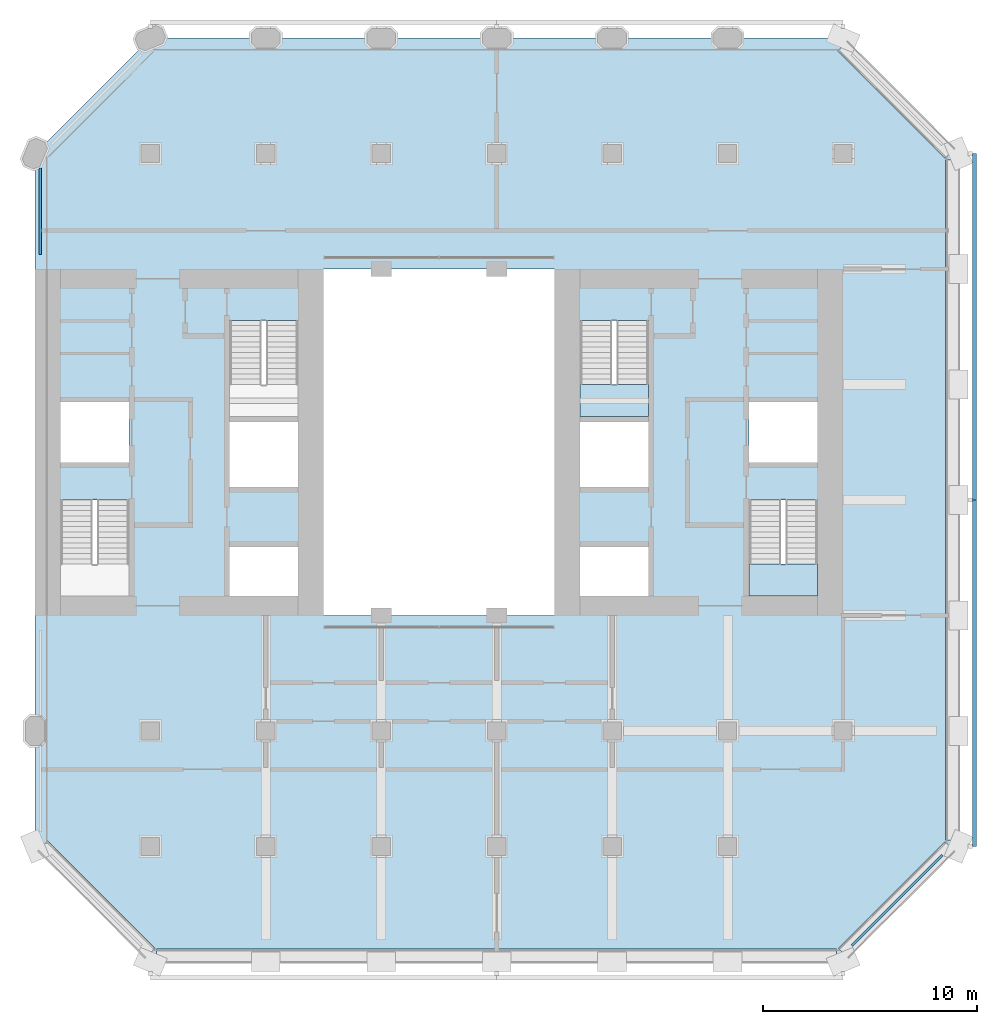
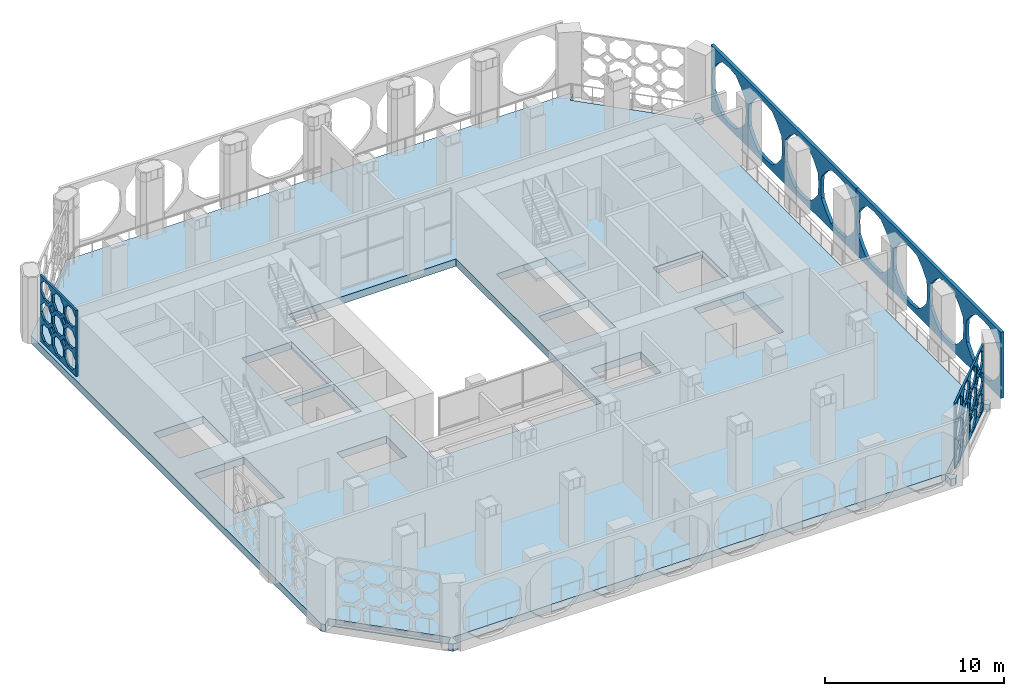
# One storey, part 6 of 14: 4 plates, 3 slabs, 2 elements without a shape of their own.
"""IFC4 building model written with IfcOpenShell, lengths in metres."""

from ifc_helpers import new_model, si_unit, direction, frame, origin, place, context, subcontext, project, spatial, polyline, outline, extrude, material, layer, layer_set, type_object, element, aggregate, save


model = new_model("IFC4")

# Units and contexts
model_context = context("Model", 3, precision=1e-05, world=origin(), true_north=direction((0.0, 1.0)))
body_context = subcontext(model_context, "Body", "Model", "MODEL_VIEW")
ifc_project = project(units=[si_unit("LENGTHUNIT", "METRE"), si_unit("AREAUNIT", "SQUARE_METRE"), si_unit("VOLUMEUNIT", "CUBIC_METRE"), si_unit("PLANEANGLEUNIT", "RADIAN"), si_unit("MASSUNIT", "GRAM", prefix="KILO")], contexts=[model_context])

# Site, building, storey
site_placement = place(None, origin())
site = spatial("IfcSite", under=ifc_project, at=site_placement, CompositionType="ELEMENT")
building_placement = place(site_placement, origin())
building = spatial("IfcBuilding", under=site, at=building_placement, Name="Tabaq Tower and Sports Hall", CompositionType="ELEMENT")
storey_placement = place(building_placement, frame((0.0, 0.0, 175.89990234375)))
storey = spatial("IfcBuildingStorey", under=building, at=storey_placement, Name="L42", CompositionType="ELEMENT", Elevation=175.89990234375)

# Stair, slab
ifc_material_1 = material(Name="Concrete C40/50", Category="concrete")
stair_type = type_object("IfcStairType", Name="Exit stair", PredefinedType="HALF_TURN_STAIR", material=ifc_material_1)
stair_1_placement = place(storey_placement, origin())
stair_1 = element("IfcStair", 1, at=stair_1_placement, inside=storey, type_object=stair_type, Name="L42 Exit stair ST3", PredefinedType="HALF_TURN_STAIR")
ifc_material_2 = material(Name="Concrete C40/50", Category="concrete")
ifc_layer_1 = layer(ifc_material_2, 0.199951171875)
ifc_layer_set_1 = layer_set([ifc_layer_1], Name="Exit stair landing")
slab_type_1 = type_object("IfcSlabType", Name="Exit stair landing", PredefinedType="LANDING", material=ifc_layer_set_1)
slab_1_placement = place(storey_placement, frame((0.0, 0.0, 2.2001953125)))
slab_1 = element("IfcSlab", 2, at=slab_1_placement, type_object=slab_type_1, Name="ST3 landing 1", PredefinedType="LANDING", context=body_context, shape_type="SweptSolid", body=[
    extrude(outline(polyline([(38.800048828125, 18.60009765625), (38.800048828125, 17.10009765625), (42.0, 17.10009765625), (42.0, 18.60009765625), (38.800048828125, 18.60009765625)])), origin(), (0.0, 0.0, 1.0), 0.199951171875),
])
aggregate(stair_1, [slab_1])

stair_2_placement = place(storey_placement, origin())
stair_2 = element("IfcStair", 3, at=stair_2_placement, inside=storey, type_object=stair_type, Name="L42 Exit stair ST4", PredefinedType="HALF_TURN_STAIR")
slab_2_placement = place(storey_placement, frame((0.0, 0.0, 2.2001953125)))
slab_2 = element("IfcSlab", 4, at=slab_2_placement, type_object=slab_type_1, Name="ST4 landing 1", PredefinedType="LANDING", context=body_context, shape_type="SweptSolid", body=[
    extrude(outline(polyline([(30.89990234375, 27.0), (30.89990234375, 25.5), (34.10009765625, 25.5), (34.10009765625, 27.0), (30.89990234375, 27.0)])), origin(), (0.0, 0.0, 1.0), 0.199951171875),
])
aggregate(stair_2, [slab_2])

# Slab
ifc_material_3 = material(Name="Concrete C40/50", Category="concrete")
ifc_layer_2 = layer(ifc_material_3, 0.5)
ifc_layer_set_2 = layer_set([ifc_layer_2], Name="PT FLOOR SLAB 500 C40/50")
slab_type_2 = type_object("IfcSlabType", Name="PT FLOOR SLAB 500 C40/50", PredefinedType="FLOOR", material=ifc_layer_set_2)
slab_3_placement = place(storey_placement, frame((0.0, 0.0, -0.5)))
element("IfcSlab", 5, at=slab_3_placement, inside=storey, type_object=slab_type_2, Name="Floor Slab L42", PredefinedType="FLOOR", context=body_context, shape_type="SweptSolid", body=[
    extrude(outline(polyline([(5.39990234375, 37.800048828125), (5.39990234375, 5.39990234375), (5.57666015625, 5.22314453125), (5.930419921875, 5.57666015625), (6.0009765625, 5.6474609375), (11.01318359375, 0.63525390625), (10.5888671875, 0.211181640625), (10.800048828125, 0.0), (11.0986328125, 0.0), (11.0986328125, 0.5), (11.0986328125, 0.60009765625), (42.9013671875, 0.60009765625), (42.9013671875, 0.5), (42.9013671875, 0.0), (43.199951171875, 0.0), (43.4111328125, 0.211181640625), (42.98681640625, 0.63525390625), (47.964599609375, 5.61328125), (48.035400390625, 5.54248046875), (48.388916015625, 5.18896484375), (48.60009765625, 5.39990234375), (48.60009765625, 5.698486328125), (48.10009765625, 5.698486328125), (48.0, 5.698486328125), (48.0, 37.50146484375), (48.10009765625, 37.50146484375), (48.60009765625, 37.50146484375), (48.60009765625, 37.800048828125), (48.388916015625, 38.010986328125), (48.035400390625, 37.657470703125), (47.964599609375, 37.5869140625), (42.952392578125, 42.598876953125), (43.023193359375, 42.669677734375), (43.376708984375, 43.023193359375), (43.199951171875, 43.199951171875), (10.800048828125, 43.199951171875), (5.39990234375, 37.800048828125)]), holes=[polyline([(14.5, 19.39990234375), (17.699951171875, 19.39990234375), (17.699951171875, 17.10009765625), (14.5, 17.10009765625), (14.5, 19.39990234375)]), polyline([(6.60009765625, 21.599365234375), (9.800048828125, 21.599365234375), (9.800048828125, 17.10009765625), (6.60009765625, 17.10009765625), (6.60009765625, 21.599365234375)]), polyline([(14.5, 25.25), (17.699951171875, 25.25), (17.699951171875, 22.199951171875), (14.5, 22.199951171875), (14.5, 25.25)]), polyline([(18.89990234375, 32.39990234375), (29.699951171875, 32.39990234375), (29.699951171875, 16.199951171875), (18.89990234375, 16.199951171875), (18.89990234375, 32.39990234375)]), polyline([(9.800048828125, 26.175048828125), (9.800048828125, 23.35009765625), (6.60009765625, 23.35009765625), (6.60009765625, 26.175048828125), (9.800048828125, 26.175048828125)]), polyline([(14.5, 29.99951171875), (17.699951171875, 29.99951171875), (17.699951171875, 25.5), (14.5, 25.5), (14.5, 29.99951171875)]), polyline([(34.10009765625, 19.39990234375), (34.10009765625, 17.10009765625), (30.89990234375, 17.10009765625), (30.89990234375, 19.39990234375), (34.10009765625, 19.39990234375)]), polyline([(42.0, 21.599365234375), (42.0, 17.10009765625), (38.800048828125, 17.10009765625), (38.800048828125, 21.599365234375), (42.0, 21.599365234375)]), polyline([(30.89990234375, 25.25), (34.10009765625, 25.25), (34.10009765625, 22.199951171875), (30.89990234375, 22.199951171875), (30.89990234375, 25.25)]), polyline([(42.0, 26.175048828125), (42.0, 23.35009765625), (38.800048828125, 23.35009765625), (38.800048828125, 26.175048828125), (42.0, 26.175048828125)]), polyline([(34.10009765625, 29.99951171875), (34.10009765625, 25.5), (30.89990234375, 25.5), (30.89990234375, 29.99951171875), (34.10009765625, 29.99951171875)])]), origin(), (0.0, 0.0, 1.0), 0.5),
])

# Plates
ifc_material_4 = material(Name="White precast concrete C60/75 pierced screen", Category="concrete")
ifc_layer_3 = layer(ifc_material_4, 0.199951171875)
ifc_layer_set_3 = layer_set([ifc_layer_3], Name="White precast concrete C60/75 girih screen 200")
plate_type_1 = type_object("IfcPlateType", Name="White precast concrete C60/75 girih screen 200", PredefinedType="USERDEFINED", material=ifc_layer_set_3)
plate_1_placement = place(storey_placement, frame((49.35009765625, 5.39990234375, 0.0), z_axis=(0.0, 0.0, 1.0), x_axis=(0.0, 1.0, 0.0)))
element("IfcPlate", 6, at=plate_1_placement, inside=storey, type_object=plate_type_1, Name="Girih screen L42 E", ObjectType="SCREEN", PredefinedType="USERDEFINED", context=body_context, shape_type="SweptSolid", body=[
    extrude(outline(polyline([(0.0, 0.0), (16.2001953125, 0.0), (16.2001953125, 4.5), (0.0, 4.5), (0.0, 0.0)]), holes=[polyline([(3.85107421875, 3.00634765625), (3.36669921875, 3.591796875), (2.78125, 4.076171875), (2.02490234375, 4.1474609375), (1.2685546875, 4.076171875), (0.683349609375, 3.591796875), (0.198974609375, 3.00634765625), (0.127685546875, 2.25), (0.198974609375, 1.49365234375), (0.683349609375, 0.908447265625), (1.2685546875, 0.424072265625), (2.02490234375, 0.352783203125), (2.78125, 0.424072265625), (3.36669921875, 0.908447265625), (3.85107421875, 1.49365234375), (3.92236328125, 2.25), (3.85107421875, 3.00634765625)]), polyline([(7.90087890625, 3.00634765625), (7.41650390625, 3.591796875), (6.831298828125, 4.076171875), (6.074951171875, 4.1474609375), (5.318603515625, 4.076171875), (4.7333984375, 3.591796875), (4.2490234375, 3.00634765625), (4.177734375, 2.25), (4.2490234375, 1.49365234375), (4.7333984375, 0.908447265625), (5.318603515625, 0.424072265625), (6.074951171875, 0.352783203125), (6.831298828125, 0.424072265625), (7.41650390625, 0.908447265625), (7.90087890625, 1.49365234375), (7.972412109375, 2.25), (7.90087890625, 3.00634765625)]), polyline([(11.950927734375, 3.00634765625), (11.466552734375, 3.591796875), (10.88134765625, 4.076171875), (10.125, 4.1474609375), (9.36865234375, 4.076171875), (8.783447265625, 3.591796875), (8.299072265625, 3.00634765625), (8.2275390625, 2.25), (8.299072265625, 1.49365234375), (8.783447265625, 0.908447265625), (9.36865234375, 0.424072265625), (10.125, 0.352783203125), (10.88134765625, 0.424072265625), (11.466552734375, 0.908447265625), (11.950927734375, 1.49365234375), (12.0224609375, 2.25), (11.950927734375, 3.00634765625)]), polyline([(16.0009765625, 3.00634765625), (15.5166015625, 3.591796875), (14.931396484375, 4.076171875), (14.175048828125, 4.1474609375), (13.418701171875, 4.076171875), (12.83349609375, 3.591796875), (12.34912109375, 3.00634765625), (12.277587890625, 2.25), (12.34912109375, 1.49365234375), (12.83349609375, 0.908447265625), (13.418701171875, 0.424072265625), (14.175048828125, 0.352783203125), (14.931396484375, 0.424072265625), (15.5166015625, 0.908447265625), (16.0009765625, 1.49365234375), (16.072265625, 2.25), (16.0009765625, 3.00634765625)])]), frame((0.0, 0.10009765625, 0.0), z_axis=(0.0, -1.0, 0.0), x_axis=(1.0, 0.0, 0.0)), (0.0, 0.0, 1.0), 0.199951171875),
])
plate_2_placement = place(storey_placement, frame((49.35009765625, 21.60009765625, 0.0), z_axis=(0.0, 0.0, 1.0), x_axis=(0.0, 1.0, 0.0)))
element("IfcPlate", 7, at=plate_2_placement, inside=storey, type_object=plate_type_1, Name="Girih screen L42 E", ObjectType="SCREEN", PredefinedType="USERDEFINED", context=body_context, shape_type="SweptSolid", body=[
    extrude(outline(polyline([(0.0, 0.0), (16.199951171875, 0.0), (16.199951171875, 4.5), (0.0, 4.5), (0.0, 0.0)]), holes=[polyline([(3.85107421875, 3.00634765625), (3.36669921875, 3.591796875), (2.78125, 4.076171875), (2.02490234375, 4.1474609375), (1.2685546875, 4.076171875), (0.683349609375, 3.591796875), (0.198974609375, 3.00634765625), (0.127685546875, 2.25), (0.198974609375, 1.49365234375), (0.683349609375, 0.908447265625), (1.2685546875, 0.424072265625), (2.02490234375, 0.352783203125), (2.78125, 0.424072265625), (3.36669921875, 0.908447265625), (3.85107421875, 1.49365234375), (3.92236328125, 2.25), (3.85107421875, 3.00634765625)]), polyline([(7.90087890625, 3.00634765625), (7.41650390625, 3.591796875), (6.831298828125, 4.076171875), (6.074951171875, 4.1474609375), (5.318603515625, 4.076171875), (4.7333984375, 3.591796875), (4.2490234375, 3.00634765625), (4.177734375, 2.25), (4.2490234375, 1.49365234375), (4.7333984375, 0.908447265625), (5.318603515625, 0.424072265625), (6.074951171875, 0.352783203125), (6.831298828125, 0.424072265625), (7.41650390625, 0.908447265625), (7.90087890625, 1.49365234375), (7.972412109375, 2.25), (7.90087890625, 3.00634765625)]), polyline([(11.950927734375, 3.00634765625), (11.466552734375, 3.591796875), (10.88134765625, 4.076171875), (10.125, 4.1474609375), (9.36865234375, 4.076171875), (8.783447265625, 3.591796875), (8.299072265625, 3.00634765625), (8.2275390625, 2.25), (8.299072265625, 1.49365234375), (8.783447265625, 0.908447265625), (9.36865234375, 0.424072265625), (10.125, 0.352783203125), (10.88134765625, 0.424072265625), (11.466552734375, 0.908447265625), (11.950927734375, 1.49365234375), (12.0224609375, 2.25), (11.950927734375, 3.00634765625)]), polyline([(16.0009765625, 3.00634765625), (15.5166015625, 3.591796875), (14.931396484375, 4.076171875), (14.175048828125, 4.1474609375), (13.418701171875, 4.076171875), (12.83349609375, 3.591796875), (12.34912109375, 3.00634765625), (12.277587890625, 2.25), (12.34912109375, 1.49365234375), (12.83349609375, 0.908447265625), (13.418701171875, 0.424072265625), (14.175048828125, 0.352783203125), (14.931396484375, 0.424072265625), (15.5166015625, 0.908447265625), (16.0009765625, 1.49365234375), (16.072265625, 2.25), (16.0009765625, 3.00634765625)])]), frame((0.0, 0.10009765625, 0.0), z_axis=(0.0, -1.0, 0.0), x_axis=(1.0, 0.0, 0.0)), (0.0, 0.0, 1.0), 0.199951171875),
])
ifc_material_5 = material(Name="White precast concrete C60/75 pierced screen", Category="concrete")
ifc_layer_4 = layer(ifc_material_5, 0.1201171875)
ifc_layer_set_4 = layer_set([ifc_layer_4], Name="White precast concrete C60/75 screen 120")
plate_type_2 = type_object("IfcPlateType", Name="White precast concrete C60/75 screen 120", PredefinedType="USERDEFINED", material=ifc_layer_set_4)
plate_3_placement = place(storey_placement, frame((43.606689453125, 0.76025390625, 0.0), z_axis=(0.0, 0.0, 1.0), x_axis=(0.707106781187, 0.707106781187, 0.0)))
element("IfcPlate", 8, at=plate_3_placement, inside=storey, type_object=plate_type_2, Name="Pierced screen L42 SE", ObjectType="SCREEN", PredefinedType="USERDEFINED", context=body_context, shape_type="SweptSolid", body=[
    extrude(outline(polyline([(0.0, 0.0), (5.986572265625, 0.0), (5.986572265625, 4.5), (0.0, 4.5), (0.0, 0.0)]), holes=[polyline([(1.40966796875, 1.057373046875), (1.203857421875, 1.239013671875), (1.022216796875, 1.444580078125), (0.748291015625, 1.427490234375), (0.474365234375, 1.444580078125), (0.29296875, 1.239013671875), (0.087158203125, 1.057373046875), (0.104248046875, 0.783447265625), (0.087158203125, 0.509521484375), (0.29296875, 0.327880859375), (0.474365234375, 0.1220703125), (0.748291015625, 0.13916015625), (1.022216796875, 0.1220703125), (1.203857421875, 0.327880859375), (1.40966796875, 0.509521484375), (1.392578125, 0.783447265625), (1.40966796875, 1.057373046875)]), polyline([(1.40966796875, 2.52392578125), (1.203857421875, 2.70556640625), (1.022216796875, 2.911376953125), (0.748291015625, 2.894287109375), (0.474365234375, 2.911376953125), (0.29296875, 2.70556640625), (0.087158203125, 2.52392578125), (0.104248046875, 2.25), (0.087158203125, 1.976318359375), (0.29296875, 1.794677734375), (0.474365234375, 1.5888671875), (0.748291015625, 1.60595703125), (1.022216796875, 1.5888671875), (1.203857421875, 1.794677734375), (1.40966796875, 1.976318359375), (1.392578125, 2.25), (1.40966796875, 2.52392578125)]), polyline([(1.40966796875, 3.99072265625), (1.203857421875, 4.17236328125), (1.022216796875, 4.3779296875), (0.748291015625, 4.36083984375), (0.474365234375, 4.3779296875), (0.29296875, 4.17236328125), (0.087158203125, 3.99072265625), (0.104248046875, 3.716796875), (0.087158203125, 3.44287109375), (0.29296875, 3.26123046875), (0.474365234375, 3.055419921875), (0.748291015625, 3.072509765625), (1.022216796875, 3.055419921875), (1.203857421875, 3.26123046875), (1.40966796875, 3.44287109375), (1.392578125, 3.716796875), (1.40966796875, 3.99072265625)]), polyline([(2.90625, 1.057373046875), (2.700439453125, 1.239013671875), (2.51904296875, 1.444580078125), (2.2451171875, 1.427490234375), (1.97119140625, 1.444580078125), (1.78955078125, 1.239013671875), (1.583740234375, 1.057373046875), (1.600830078125, 0.783447265625), (1.583740234375, 0.509521484375), (1.78955078125, 0.327880859375), (1.97119140625, 0.1220703125), (2.2451171875, 0.13916015625), (2.51904296875, 0.1220703125), (2.700439453125, 0.327880859375), (2.90625, 0.509521484375), (2.88916015625, 0.783447265625), (2.90625, 1.057373046875)]), polyline([(2.90625, 2.52392578125), (2.700439453125, 2.70556640625), (2.51904296875, 2.911376953125), (2.2451171875, 2.894287109375), (1.97119140625, 2.911376953125), (1.78955078125, 2.70556640625), (1.583740234375, 2.52392578125), (1.600830078125, 2.25), (1.583740234375, 1.976318359375), (1.78955078125, 1.794677734375), (1.97119140625, 1.5888671875), (2.2451171875, 1.60595703125), (2.51904296875, 1.5888671875), (2.700439453125, 1.794677734375), (2.90625, 1.976318359375), (2.88916015625, 2.25), (2.90625, 2.52392578125)]), polyline([(2.90625, 3.99072265625), (2.700439453125, 4.17236328125), (2.51904296875, 4.3779296875), (2.2451171875, 4.36083984375), (1.97119140625, 4.3779296875), (1.78955078125, 4.17236328125), (1.583740234375, 3.99072265625), (1.600830078125, 3.716796875), (1.583740234375, 3.44287109375), (1.78955078125, 3.26123046875), (1.97119140625, 3.055419921875), (2.2451171875, 3.072509765625), (2.51904296875, 3.055419921875), (2.700439453125, 3.26123046875), (2.90625, 3.44287109375), (2.88916015625, 3.716796875), (2.90625, 3.99072265625)]), polyline([(4.403076171875, 1.057373046875), (4.197265625, 1.239013671875), (4.015625, 1.444580078125), (3.74169921875, 1.427490234375), (3.4677734375, 1.444580078125), (3.2861328125, 1.239013671875), (3.08056640625, 1.057373046875), (3.09765625, 0.783447265625), (3.08056640625, 0.509521484375), (3.2861328125, 0.327880859375), (3.4677734375, 0.1220703125), (3.74169921875, 0.13916015625), (4.015625, 0.1220703125), (4.197265625, 0.327880859375), (4.403076171875, 0.509521484375), (4.385986328125, 0.783447265625), (4.403076171875, 1.057373046875)]), polyline([(4.403076171875, 2.52392578125), (4.197265625, 2.70556640625), (4.015625, 2.911376953125), (3.74169921875, 2.894287109375), (3.4677734375, 2.911376953125), (3.2861328125, 2.70556640625), (3.08056640625, 2.52392578125), (3.09765625, 2.25), (3.08056640625, 1.976318359375), (3.2861328125, 1.794677734375), (3.4677734375, 1.5888671875), (3.74169921875, 1.60595703125), (4.015625, 1.5888671875), (4.197265625, 1.794677734375), (4.403076171875, 1.976318359375), (4.385986328125, 2.25), (4.403076171875, 2.52392578125)]), polyline([(4.403076171875, 3.99072265625), (4.197265625, 4.17236328125), (4.015625, 4.3779296875), (3.74169921875, 4.36083984375), (3.4677734375, 4.3779296875), (3.2861328125, 4.17236328125), (3.08056640625, 3.99072265625), (3.09765625, 3.716796875), (3.08056640625, 3.44287109375), (3.2861328125, 3.26123046875), (3.4677734375, 3.055419921875), (3.74169921875, 3.072509765625), (4.015625, 3.055419921875), (4.197265625, 3.26123046875), (4.403076171875, 3.44287109375), (4.385986328125, 3.716796875), (4.403076171875, 3.99072265625)]), polyline([(5.899658203125, 1.057373046875), (5.69384765625, 1.239013671875), (5.51220703125, 1.444580078125), (5.238525390625, 1.427490234375), (4.964599609375, 1.444580078125), (4.782958984375, 1.239013671875), (4.5771484375, 1.057373046875), (4.59423828125, 0.783447265625), (4.5771484375, 0.509521484375), (4.782958984375, 0.327880859375), (4.964599609375, 0.1220703125), (5.238525390625, 0.13916015625), (5.51220703125, 0.1220703125), (5.69384765625, 0.327880859375), (5.899658203125, 0.509521484375), (5.882568359375, 0.783447265625), (5.899658203125, 1.057373046875)]), polyline([(5.899658203125, 2.52392578125), (5.69384765625, 2.70556640625), (5.51220703125, 2.911376953125), (5.238525390625, 2.894287109375), (4.964599609375, 2.911376953125), (4.782958984375, 2.70556640625), (4.5771484375, 2.52392578125), (4.59423828125, 2.25), (4.5771484375, 1.976318359375), (4.782958984375, 1.794677734375), (4.964599609375, 1.5888671875), (5.238525390625, 1.60595703125), (5.51220703125, 1.5888671875), (5.69384765625, 1.794677734375), (5.899658203125, 1.976318359375), (5.882568359375, 2.25), (5.899658203125, 2.52392578125)]), polyline([(5.899658203125, 3.99072265625), (5.69384765625, 4.17236328125), (5.51220703125, 4.3779296875), (5.238525390625, 4.36083984375), (4.964599609375, 4.3779296875), (4.782958984375, 4.17236328125), (4.5771484375, 3.99072265625), (4.59423828125, 3.716796875), (4.5771484375, 3.44287109375), (4.782958984375, 3.26123046875), (4.964599609375, 3.055419921875), (5.238525390625, 3.072509765625), (5.51220703125, 3.055419921875), (5.69384765625, 3.26123046875), (5.899658203125, 3.44287109375), (5.882568359375, 3.716796875), (5.899658203125, 3.99072265625)]), polyline([(1.7900390625, 1.516845703125), (1.49658203125, 1.81005859375), (1.203369140625, 1.516845703125), (1.49658203125, 1.223388671875), (1.7900390625, 1.516845703125)]), polyline([(1.7900390625, 2.9833984375), (1.49658203125, 3.27685546875), (1.203369140625, 2.9833984375), (1.49658203125, 2.690185546875), (1.7900390625, 2.9833984375)]), polyline([(3.28662109375, 1.516845703125), (2.993408203125, 1.81005859375), (2.699951171875, 1.516845703125), (2.993408203125, 1.223388671875), (3.28662109375, 1.516845703125)]), polyline([(3.28662109375, 2.9833984375), (2.993408203125, 3.27685546875), (2.699951171875, 2.9833984375), (2.993408203125, 2.690185546875), (3.28662109375, 2.9833984375)]), polyline([(4.783447265625, 1.516845703125), (4.489990234375, 1.81005859375), (4.19677734375, 1.516845703125), (4.489990234375, 1.223388671875), (4.783447265625, 1.516845703125)]), polyline([(4.783447265625, 2.9833984375), (4.489990234375, 3.27685546875), (4.19677734375, 2.9833984375), (4.489990234375, 2.690185546875), (4.783447265625, 2.9833984375)])]), frame((0.0, 0.06005859375, 0.0), z_axis=(0.0, -1.0, 0.0), x_axis=(1.0, 0.0, 0.0)), (0.0, 0.0, 1.0), 0.1201171875),
])
plate_4_placement = place(storey_placement, frame((5.64990234375, 37.125, 0.0), z_axis=(0.0, 0.0, 1.0), x_axis=(0.0, -1.0, 0.0)))
element("IfcPlate", 9, at=plate_4_placement, inside=storey, type_object=plate_type_2, Name="Pierced screen L42 W", ObjectType="SCREEN", PredefinedType="USERDEFINED", context=body_context, shape_type="SweptSolid", body=[
    extrude(outline(polyline([(0.0, 0.0), (4.050048828125, 0.0), (4.050048828125, 4.5), (0.0, 4.5), (0.0, 0.0)]), holes=[polyline([(1.28369140625, 1.03564453125), (1.09423828125, 1.20263671875), (0.927001953125, 1.39208984375), (0.675048828125, 1.37646484375), (0.4228515625, 1.39208984375), (0.255859375, 1.20263671875), (0.06640625, 1.03564453125), (0.08203125, 0.783447265625), (0.06640625, 0.53125), (0.255859375, 0.3642578125), (0.4228515625, 0.1748046875), (0.675048828125, 0.1904296875), (0.927001953125, 0.1748046875), (1.09423828125, 0.3642578125), (1.28369140625, 0.53125), (1.267822265625, 0.783447265625), (1.28369140625, 1.03564453125)]), polyline([(1.28369140625, 2.502197265625), (1.09423828125, 2.66943359375), (0.927001953125, 2.858642578125), (0.675048828125, 2.843017578125), (0.4228515625, 2.858642578125), (0.255859375, 2.66943359375), (0.06640625, 2.502197265625), (0.08203125, 2.25), (0.06640625, 1.998046875), (0.255859375, 1.830810546875), (0.4228515625, 1.641357421875), (0.675048828125, 1.6572265625), (0.927001953125, 1.641357421875), (1.09423828125, 1.830810546875), (1.28369140625, 1.998046875), (1.267822265625, 2.25), (1.28369140625, 2.502197265625)]), polyline([(1.28369140625, 3.968994140625), (1.09423828125, 4.135986328125), (0.927001953125, 4.325439453125), (0.675048828125, 4.3095703125), (0.4228515625, 4.325439453125), (0.255859375, 4.135986328125), (0.06640625, 3.968994140625), (0.08203125, 3.716796875), (0.06640625, 3.464599609375), (0.255859375, 3.297607421875), (0.4228515625, 3.108154296875), (0.675048828125, 3.123779296875), (0.927001953125, 3.108154296875), (1.09423828125, 3.297607421875), (1.28369140625, 3.464599609375), (1.267822265625, 3.716796875), (1.28369140625, 3.968994140625)]), polyline([(2.633544921875, 1.03564453125), (2.4443359375, 1.20263671875), (2.277099609375, 1.39208984375), (2.02490234375, 1.37646484375), (1.77294921875, 1.39208984375), (1.605712890625, 1.20263671875), (1.416259765625, 1.03564453125), (1.43212890625, 0.783447265625), (1.416259765625, 0.53125), (1.605712890625, 0.3642578125), (1.77294921875, 0.1748046875), (2.02490234375, 0.1904296875), (2.277099609375, 0.1748046875), (2.4443359375, 0.3642578125), (2.633544921875, 0.53125), (2.617919921875, 0.783447265625), (2.633544921875, 1.03564453125)]), polyline([(2.633544921875, 2.502197265625), (2.4443359375, 2.66943359375), (2.277099609375, 2.858642578125), (2.02490234375, 2.843017578125), (1.77294921875, 2.858642578125), (1.605712890625, 2.66943359375), (1.416259765625, 2.502197265625), (1.43212890625, 2.25), (1.416259765625, 1.998046875), (1.605712890625, 1.830810546875), (1.77294921875, 1.641357421875), (2.02490234375, 1.6572265625), (2.277099609375, 1.641357421875), (2.4443359375, 1.830810546875), (2.633544921875, 1.998046875), (2.617919921875, 2.25), (2.633544921875, 2.502197265625)]), polyline([(2.633544921875, 3.968994140625), (2.4443359375, 4.135986328125), (2.277099609375, 4.325439453125), (2.02490234375, 4.3095703125), (1.77294921875, 4.325439453125), (1.605712890625, 4.135986328125), (1.416259765625, 3.968994140625), (1.43212890625, 3.716796875), (1.416259765625, 3.464599609375), (1.605712890625, 3.297607421875), (1.77294921875, 3.108154296875), (2.02490234375, 3.123779296875), (2.277099609375, 3.108154296875), (2.4443359375, 3.297607421875), (2.633544921875, 3.464599609375), (2.617919921875, 3.716796875), (2.633544921875, 3.968994140625)]), polyline([(3.983642578125, 1.03564453125), (3.794189453125, 1.20263671875), (3.627197265625, 1.39208984375), (3.375, 1.37646484375), (3.122802734375, 1.39208984375), (2.955810546875, 1.20263671875), (2.766357421875, 1.03564453125), (2.781982421875, 0.783447265625), (2.766357421875, 0.53125), (2.955810546875, 0.3642578125), (3.122802734375, 0.1748046875), (3.375, 0.1904296875), (3.627197265625, 0.1748046875), (3.794189453125, 0.3642578125), (3.983642578125, 0.53125), (3.968017578125, 0.783447265625), (3.983642578125, 1.03564453125)]), polyline([(3.983642578125, 2.502197265625), (3.794189453125, 2.66943359375), (3.627197265625, 2.858642578125), (3.375, 2.843017578125), (3.122802734375, 2.858642578125), (2.955810546875, 2.66943359375), (2.766357421875, 2.502197265625), (2.781982421875, 2.25), (2.766357421875, 1.998046875), (2.955810546875, 1.830810546875), (3.122802734375, 1.641357421875), (3.375, 1.6572265625), (3.627197265625, 1.641357421875), (3.794189453125, 1.830810546875), (3.983642578125, 1.998046875), (3.968017578125, 2.25), (3.983642578125, 2.502197265625)]), polyline([(3.983642578125, 3.968994140625), (3.794189453125, 4.135986328125), (3.627197265625, 4.325439453125), (3.375, 4.3095703125), (3.122802734375, 4.325439453125), (2.955810546875, 4.135986328125), (2.766357421875, 3.968994140625), (2.781982421875, 3.716796875), (2.766357421875, 3.464599609375), (2.955810546875, 3.297607421875), (3.122802734375, 3.108154296875), (3.375, 3.123779296875), (3.627197265625, 3.108154296875), (3.794189453125, 3.297607421875), (3.983642578125, 3.464599609375), (3.968017578125, 3.716796875), (3.983642578125, 3.968994140625)]), polyline([(1.6201171875, 1.516845703125), (1.35009765625, 1.786865234375), (1.080078125, 1.516845703125), (1.35009765625, 1.246826171875), (1.6201171875, 1.516845703125)]), polyline([(1.6201171875, 2.9833984375), (1.35009765625, 3.25341796875), (1.080078125, 2.9833984375), (1.35009765625, 2.71337890625), (1.6201171875, 2.9833984375)]), polyline([(2.969970703125, 1.516845703125), (2.699951171875, 1.786865234375), (2.429931640625, 1.516845703125), (2.699951171875, 1.246826171875), (2.969970703125, 1.516845703125)]), polyline([(2.969970703125, 2.9833984375), (2.699951171875, 3.25341796875), (2.429931640625, 2.9833984375), (2.699951171875, 2.71337890625), (2.969970703125, 2.9833984375)])]), frame((0.0, 0.06005859375, 0.0), z_axis=(0.0, -1.0, 0.0), x_axis=(1.0, 0.0, 0.0)), (0.0, 0.0, 1.0), 0.1201171875),
])

save(model, "model.ifc")
